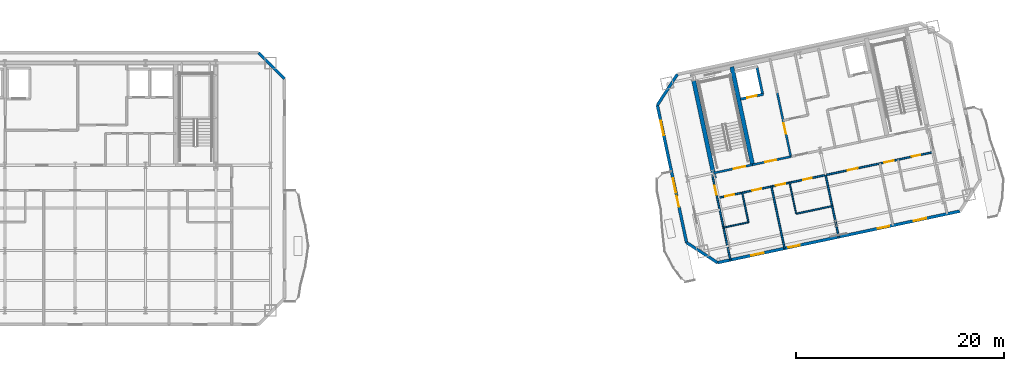
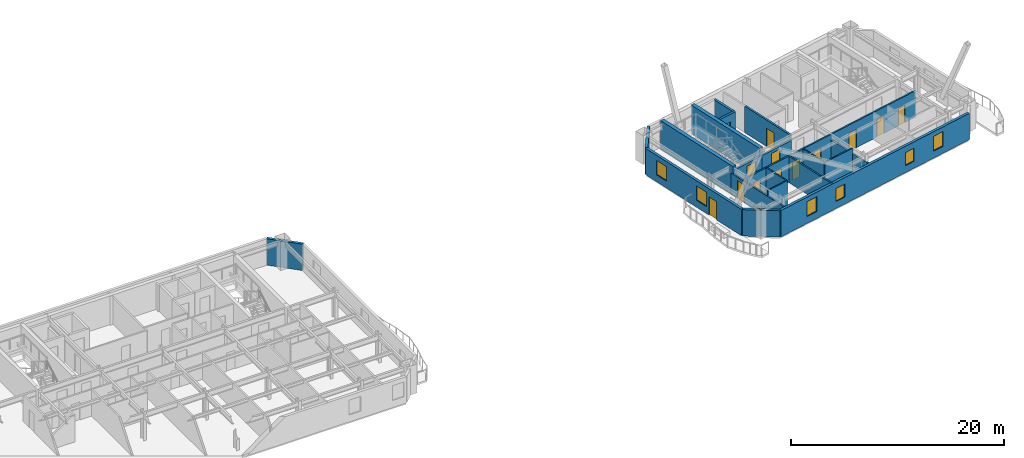
# One storey, part 7 of 13: 20 walls, 13 doors, 6 windows, 19 openings.
"""IFC4 building model written with IfcOpenShell, lengths in metres."""

from ifc_helpers import new_model, si_unit, direction, frame, frame_2d, origin, place, context, subcontext, project, spatial, rectangle, extrude, material, layer, layer_set, type_object, element, fill, save


model = new_model("IFC4")

# Units and contexts
model_context = context("Model", 3, precision=1e-05, world=origin(), true_north=direction((0.0, 1.0)))
body_context = subcontext(model_context, "Body", "Model", "MODEL_VIEW")
ifc_project = project(units=[si_unit("LENGTHUNIT", "METRE"), si_unit("AREAUNIT", "SQUARE_METRE"), si_unit("VOLUMEUNIT", "CUBIC_METRE"), si_unit("PLANEANGLEUNIT", "RADIAN"), si_unit("MASSUNIT", "GRAM", prefix="KILO")], contexts=[model_context])

# Site, building, storey
site_placement = place(None, origin())
site = spatial("IfcSite", under=ifc_project, at=site_placement, CompositionType="ELEMENT")
building_placement = place(site_placement, origin())
building = spatial("IfcBuilding", under=site, at=building_placement, Name="Haevon Station Towers", CompositionType="ELEMENT")
storey_placement = place(building_placement, frame((0.0, 0.0, 225.300048828125)))
storey = spatial("IfcBuildingStorey", under=building, at=storey_placement, Name="L62", CompositionType="ELEMENT", Elevation=225.300048828125)

# Wall, opening, door
ifc_material_1 = material(Name="Gypsum board on steel stud", Category="steel")
ifc_layer_1 = layer(ifc_material_1, 0.199951171875)
ifc_layer_set_1 = layer_set([ifc_layer_1], Name="Gypsum board on steel stud")
wall_type_1 = type_object("IfcWallType", Name="WL-COR200", PredefinedType="PARTITIONING", material=ifc_layer_set_1)
wall_1_placement = place(storey_placement, frame((98.75244140625, 37.4423828125, 0.0), z_axis=(0.0, 0.0, 1.0), x_axis=(0.978143537786, 0.207930804564, 0.0)))
wall_1 = element("IfcWall", 1, at=wall_1_placement, inside=storey, type_object=wall_type_1, Name="WL-ST-ST3-L62", PredefinedType="PARTITIONING", context=body_context, shape_type="SweptSolid", body=[
    extrude(rectangle(XDim=3.85009765625, YDim=0.199951171875, at=frame_2d((1.925048828125, 0.0))), origin(), (0.0, 0.0, 1.0), 2.429931640625),
])
opening_1_placement = place(wall_1_placement, frame((2.0, 0.0, 0.0)))
opening_1 = element("IfcOpeningElement", 2, at=opening_1_placement, cuts=wall_1, Name="Opening DR-ST-ST3-L62", PredefinedType="OPENING", context=body_context, shape_type="SweptSolid", body=[
    extrude(rectangle(XDim=1.1201171875, YDim=2.10009765625, at=frame_2d((0.56005859375, 1.050048828125))), frame((0.0, 0.10986328125, 0.0), z_axis=(0.0, -1.0, 0.0), x_axis=(1.0, 0.0, 0.0)), (0.0, 0.0, 1.0), 0.219970703125),
])
ifc_material_2 = material(Name="Engineered oak timber", Category="wood")
door_type_1 = type_object("IfcDoorType", Name="DR-ST-1120", OperationType="NOTDEFINED", PredefinedType="DOOR", material=ifc_material_2)
door_1_placement = place(opening_1_placement, origin())
door_1 = element("IfcDoor", 3, at=door_1_placement, inside=storey, type_object=door_type_1, Name="L62 Escape Stair ST3 Fire Door", OperationType="SINGLE_SWING_LEFT", OverallHeight=2.10009765625, OverallWidth=1.1201171875, PredefinedType="DOOR", context=body_context, shape_type="SweptSolid", body=[
    extrude(rectangle(XDim=1.1201171875, YDim=2.10009765625, at=frame_2d((0.56005859375, 1.050048828125))), frame((0.0, 0.02490234375, 0.0), z_axis=(0.0, -1.0, 0.0), x_axis=(1.0, 0.0, 0.0)), (0.0, 0.0, 1.0), 0.050048828125),
])
fill(opening_1, door_1)

wall_2_placement = place(storey_placement, frame((106.186279296875, 39.0224609375, 0.0), z_axis=(0.0, 0.0, 1.0), x_axis=(-0.207916691923, 0.978146537703, 0.0)))
wall_2 = element("IfcWall", 4, at=wall_2_placement, inside=storey, type_object=wall_type_1, Name="WL-T2FFL-L62-E", PredefinedType="PARTITIONING", context=body_context, shape_type="SweptSolid", body=[
    extrude(rectangle(XDim=6.35009765625, YDim=0.199951171875, at=frame_2d((3.175048828125, 0.0))), origin(), (0.0, 0.0, 1.0), 3.030029296875),
])
opening_2_placement = place(wall_2_placement, frame((2.239990234375, 0.0, 0.0)))
opening_2 = element("IfcOpeningElement", 5, at=opening_2_placement, cuts=wall_2, Name="Opening DR-T2FFL-L62-E", PredefinedType="OPENING", context=body_context, shape_type="SweptSolid", body=[
    extrude(rectangle(XDim=1.050048828125, YDim=2.10009765625, at=frame_2d((0.52490234375, 1.050048828125))), frame((0.0, 0.10986328125, 0.0), z_axis=(0.0, -1.0, 0.0), x_axis=(1.0, 0.0, 0.0)), (0.0, 0.0, 1.0), 0.219970703125),
])
door_type_2 = type_object("IfcDoorType", Name="DR-FD60-1050", OperationType="NOTDEFINED", PredefinedType="DOOR", material=ifc_material_2)
door_2_placement = place(opening_2_placement, origin())
door_2 = element("IfcDoor", 6, at=door_2_placement, inside=storey, type_object=door_type_2, Name="L62 Tower 2 Firefighting Lift Lobby Door E", OperationType="SINGLE_SWING_LEFT", OverallHeight=2.10009765625, OverallWidth=1.050048828125, PredefinedType="DOOR", context=body_context, shape_type="SweptSolid", body=[
    extrude(rectangle(XDim=1.050048828125, YDim=2.10009765625, at=frame_2d((0.52490234375, 1.050048828125))), frame((0.0, 0.02490234375, 0.0), z_axis=(0.0, -1.0, 0.0), x_axis=(1.0, 0.0, 0.0)), (0.0, 0.0, 1.0), 0.050048828125),
])
fill(opening_2, door_2)

wall_3_placement = place(storey_placement, frame((102.518310546875, 38.242919921875, 0.0), z_axis=(0.0, 0.0, 1.0), x_axis=(0.978153555683, 0.20788367301, 0.0)))
wall_3 = element("IfcWall", 7, at=wall_3_placement, inside=storey, type_object=wall_type_1, Name="WL-T2FFL-L62-S", PredefinedType="PARTITIONING", context=body_context, shape_type="SweptSolid", body=[
    extrude(rectangle(XDim=3.75, YDim=0.199951171875, at=frame_2d((1.875, 0.0))), origin(), (0.0, 0.0, 1.0), 2.429931640625),
])
opening_3_placement = place(wall_3_placement, frame((1.25, 0.0, 0.0)))
opening_3 = element("IfcOpeningElement", 8, at=opening_3_placement, cuts=wall_3, Name="Opening DR-T2FFL-L62-S", PredefinedType="OPENING", context=body_context, shape_type="SweptSolid", body=[
    extrude(rectangle(XDim=1.050048828125, YDim=2.10009765625, at=frame_2d((0.52490234375, 1.050048828125))), frame((0.0, 0.10986328125, 0.0), z_axis=(0.0, -1.0, 0.0), x_axis=(1.0, 0.0, 0.0)), (0.0, 0.0, 1.0), 0.219970703125),
])
door_3_placement = place(opening_3_placement, origin())
door_3 = element("IfcDoor", 9, at=door_3_placement, inside=storey, type_object=door_type_2, Name="L62 Tower 2 Firefighting Lift Lobby Door S", OperationType="SINGLE_SWING_RIGHT", OverallHeight=2.10009765625, OverallWidth=1.050048828125, PredefinedType="DOOR", context=body_context, shape_type="SweptSolid", body=[
    extrude(rectangle(XDim=1.050048828125, YDim=2.10009765625, at=frame_2d((0.52490234375, 1.050048828125))), frame((0.0, 0.02490234375, 0.0), z_axis=(0.0, -1.0, 0.0), x_axis=(1.0, 0.0, 0.0)), (0.0, 0.0, 1.0), 0.050048828125),
])
fill(opening_3, door_3)

# Walls
ifc_material_3 = material(Name="Concrete C60/75", Category="concrete")
ifc_layer_2 = layer(ifc_material_3, 0.39990234375)
ifc_layer_set_2 = layer_set([ifc_layer_2], Name="Concrete C60/75")
wall_type_2 = type_object("IfcWallType", Name="WL-CR400", PredefinedType="SHEAR", material=ifc_layer_set_2)
wall_4_placement = place(storey_placement, frame((98.8603515625, 36.933837890625, 0.0), z_axis=(0.0, 0.0, 1.0), x_axis=(-0.20790924889, 0.978148119778, 0.0)))
element("IfcWall", 10, at=wall_4_placement, inside=storey, type_object=wall_type_2, Name="WL-T2CR-L62-W", PredefinedType="SHEAR", context=body_context, shape_type="SweptSolid", body=[
    extrude(rectangle(XDim=10.119873046875, YDim=0.39990234375, at=frame_2d((5.06005859375, 0.0))), origin(), (0.0, 0.0, 1.0), 3.300048828125),
])
wall_5_placement = place(storey_placement, frame((102.518310546875, 38.242919921875, 0.0), z_axis=(0.0, 0.0, 1.0), x_axis=(-0.207927495108, 0.978144241295, 0.0)))
element("IfcWall", 11, at=wall_5_placement, inside=storey, type_object=wall_type_2, Name="WL-T2CR-L62-M1", PredefinedType="SHEAR", context=body_context, shape_type="SweptSolid", body=[
    extrude(rectangle(XDim=9.599853515625, YDim=0.39990234375, at=frame_2d((4.7998046875, 0.0))), origin(), (0.0, 0.0, 1.0), 3.300048828125),
])
ifc_material_4 = material(Name="Precast concrete C45/55", Category="concrete")
ifc_layer_3 = layer(ifc_material_4, 0.280029296875)
ifc_layer_set_3 = layer_set([ifc_layer_3], Name="Precast concrete C45/55")
wall_type_3 = type_object("IfcWallType", Name="WL-EXT-PIER280", PredefinedType="SOLIDWALL", material=ifc_layer_set_3)
wall_6_placement = place(storey_placement, frame((55.10009765625, 49.0, 0.0), z_axis=(0.0, 0.0, 1.0), x_axis=(0.707106781187, -0.707106781187, 0.0)))
element("IfcWall", 12, at=wall_6_placement, inside=storey, type_object=wall_type_3, Name="WL-T1-L62-NEC", PredefinedType="SOLIDWALL", context=body_context, shape_type="SweptSolid", body=[
    extrude(rectangle(XDim=3.53564453125, YDim=0.280029296875, at=frame_2d((1.767822265625, 0.0))), origin(), (0.0, 0.0, 1.0), 3.030029296875),
])

# Wall, openings, windows
wall_7_placement = place(storey_placement, frame((122.427978515625, 33.795166015625, 0.0), z_axis=(0.0, 0.0, 1.0), x_axis=(-0.978147847697, -0.207910528946, 0.0)))
wall_7 = element("IfcWall", 13, at=wall_7_placement, inside=storey, type_object=wall_type_3, Name="WL-T2-L62-S", PredefinedType="SOLIDWALL", context=body_context, shape_type="SweptSolid", body=[
    extrude(rectangle(XDim=23.7998046875, YDim=0.280029296875, at=frame_2d((11.89990234375, 0.0))), origin(), (0.0, 0.0, 1.0), 3.030029296875),
])
opening_4_placement = place(wall_7_placement, frame((19.251220703125, 0.0, 0.800048828125)))
opening_4 = element("IfcOpeningElement", 14, at=opening_4_placement, cuts=wall_7, Name="Opening WN-P125", PredefinedType="OPENING", context=body_context, shape_type="SweptSolid", body=[
    extrude(rectangle(XDim=1.25, YDim=1.699951171875, at=frame_2d((0.625, 0.85009765625))), frame((0.0, 0.14990234375, 0.0), z_axis=(0.0, -1.0, 0.0), x_axis=(1.0, 0.0, 0.0)), (0.0, 0.0, 1.0), 0.300048828125),
])
opening_5_placement = place(wall_7_placement, frame((15.737548828125, 0.0, 0.800048828125)))
opening_5 = element("IfcOpeningElement", 15, at=opening_5_placement, cuts=wall_7, Name="Opening WN-COR110", PredefinedType="OPENING", context=body_context, shape_type="SweptSolid", body=[
    extrude(rectangle(XDim=1.10009765625, YDim=1.5, at=frame_2d((0.550048828125, 0.75))), frame((0.0, 0.14990234375, 0.0), z_axis=(0.0, -1.0, 0.0), x_axis=(1.0, 0.0, 0.0)), (0.0, 0.0, 1.0), 0.300048828125),
])
opening_6_placement = place(wall_7_placement, frame((6.96240234375, 0.0, 0.800048828125)))
opening_6 = element("IfcOpeningElement", 16, at=opening_6_placement, cuts=wall_7, Name="Opening WN-COR110", PredefinedType="OPENING", context=body_context, shape_type="SweptSolid", body=[
    extrude(rectangle(XDim=1.10009765625, YDim=1.5, at=frame_2d((0.550048828125, 0.75))), frame((0.0, 0.14990234375, 0.0), z_axis=(0.0, -1.0, 0.0), x_axis=(1.0, 0.0, 0.0)), (0.0, 0.0, 1.0), 0.300048828125),
])
opening_7_placement = place(wall_7_placement, frame((3.298583984375, 0.0, 0.800048828125)))
opening_7 = element("IfcOpeningElement", 17, at=opening_7_placement, cuts=wall_7, Name="Opening WN-P125", PredefinedType="OPENING", context=body_context, shape_type="SweptSolid", body=[
    extrude(rectangle(XDim=1.25, YDim=1.699951171875, at=frame_2d((0.625, 0.85009765625))), frame((0.0, 0.14990234375, 0.0), z_axis=(0.0, -1.0, 0.0), x_axis=(1.0, 0.0, 0.0)), (0.0, 0.0, 1.0), 0.300048828125),
])
ifc_material_5 = material(Name="Low-E triple glazing in thermally broken aluminium", Category="aluminium")
window_type_1 = type_object("IfcWindowType", Name="WN-COR110", PartitioningType="SINGLE_PANEL", PredefinedType="WINDOW", material=ifc_material_5)
window_1_placement = place(opening_5_placement, origin())
window_1 = element("IfcWindow", 18, at=window_1_placement, inside=storey, type_object=window_type_1, Name="WN-T2-L62-S02", OverallHeight=1.5, OverallWidth=1.10009765625, PartitioningType="SINGLE_PANEL", PredefinedType="WINDOW", context=body_context, shape_type="SweptSolid", body=[
    extrude(rectangle(XDim=1.10009765625, YDim=1.5, at=frame_2d((0.550048828125, 0.75))), frame((0.0, 0.030029296875, 0.0), z_axis=(0.0, -1.0, 0.0), x_axis=(1.0, 0.0, 0.0)), (0.0, 0.0, 1.0), 0.06005859375),
])
fill(opening_5, window_1)
window_2_placement = place(opening_6_placement, origin())
window_2 = element("IfcWindow", 19, at=window_2_placement, inside=storey, type_object=window_type_1, Name="WN-T2-L62-S03", OverallHeight=1.5, OverallWidth=1.10009765625, PartitioningType="SINGLE_PANEL", PredefinedType="WINDOW", context=body_context, shape_type="SweptSolid", body=[
    extrude(rectangle(XDim=1.10009765625, YDim=1.5, at=frame_2d((0.550048828125, 0.75))), frame((0.0, 0.030029296875, 0.0), z_axis=(0.0, -1.0, 0.0), x_axis=(1.0, 0.0, 0.0)), (0.0, 0.0, 1.0), 0.06005859375),
])
fill(opening_6, window_2)
window_type_2 = type_object("IfcWindowType", Name="WN-P125", PartitioningType="SINGLE_PANEL", PredefinedType="WINDOW", material=ifc_material_5)
window_3_placement = place(opening_4_placement, origin())
window_3 = element("IfcWindow", 20, at=window_3_placement, inside=storey, type_object=window_type_2, Name="WN-T2-L62-S01", OverallHeight=1.699951171875, OverallWidth=1.25, PartitioningType="SINGLE_PANEL", PredefinedType="WINDOW", context=body_context, shape_type="SweptSolid", body=[
    extrude(rectangle(XDim=1.25, YDim=1.699951171875, at=frame_2d((0.625, 0.85009765625))), frame((0.0, 0.030029296875, 0.0), z_axis=(0.0, -1.0, 0.0), x_axis=(1.0, 0.0, 0.0)), (0.0, 0.0, 1.0), 0.06005859375),
])
fill(opening_4, window_3)
window_4_placement = place(opening_7_placement, origin())
window_4 = element("IfcWindow", 21, at=window_4_placement, inside=storey, type_object=window_type_2, Name="WN-T2-L62-S04", OverallHeight=1.699951171875, OverallWidth=1.25, PartitioningType="SINGLE_PANEL", PredefinedType="WINDOW", context=body_context, shape_type="SweptSolid", body=[
    extrude(rectangle(XDim=1.25, YDim=1.699951171875, at=frame_2d((0.625, 0.85009765625))), frame((0.0, 0.030029296875, 0.0), z_axis=(0.0, -1.0, 0.0), x_axis=(1.0, 0.0, 0.0)), (0.0, 0.0, 1.0), 0.06005859375),
])
fill(opening_7, window_4)

# Wall
wall_8_placement = place(storey_placement, frame((99.148193359375, 28.846923828125, 0.0), z_axis=(0.0, 0.0, 1.0), x_axis=(-0.838692791597, 0.544604812064, 0.0)))
element("IfcWall", 22, at=wall_8_placement, inside=storey, type_object=wall_type_3, Name="WL-T2-L62-SWC", PredefinedType="SOLIDWALL", context=body_context, shape_type="SweptSolid", body=[
    extrude(rectangle(XDim=3.53564453125, YDim=0.280029296875, at=frame_2d((1.767822265625, 0.0))), origin(), (0.0, 0.0, 1.0), 3.030029296875),
])

# Wall, openings, door, windows
wall_9_placement = place(storey_placement, frame((96.182861328125, 30.7724609375, 0.0), z_axis=(0.0, 0.0, 1.0), x_axis=(-0.207907239961, 0.978148546782, 0.0)))
wall_9 = element("IfcWall", 23, at=wall_9_placement, inside=storey, type_object=wall_type_3, Name="WL-T2-L62-W", PredefinedType="SOLIDWALL", context=body_context, shape_type="SweptSolid", body=[
    extrude(rectangle(XDim=13.489990234375, YDim=0.280029296875, at=frame_2d((6.7451171875, 0.0))), origin(), (0.0, 0.0, 1.0), 3.030029296875),
])
opening_8_placement = place(wall_9_placement, frame((3.52001953125, 0.0, 0.0)))
opening_8 = element("IfcOpeningElement", 24, at=opening_8_placement, cuts=wall_9, Name="Opening DR-T2-SCAL-L62-W", PredefinedType="OPENING", context=body_context, shape_type="SweptSolid", body=[
    extrude(rectangle(XDim=1.050048828125, YDim=2.10009765625, at=frame_2d((0.52490234375, 1.050048828125))), frame((0.0, 0.14990234375, 0.0), z_axis=(0.0, -1.0, 0.0), x_axis=(1.0, 0.0, 0.0)), (0.0, 0.0, 1.0), 0.300048828125),
])
opening_9_placement = place(wall_9_placement, frame((4.921142578125, 0.0, 0.800048828125)))
opening_9 = element("IfcOpeningElement", 25, at=opening_9_placement, cuts=wall_9, Name="Opening WN-END140", PredefinedType="OPENING", context=body_context, shape_type="SweptSolid", body=[
    extrude(rectangle(XDim=1.39990234375, YDim=1.64990234375, at=frame_2d((0.699951171875, 0.824951171875))), frame((0.0, 0.14990234375, 0.0), z_axis=(0.0, -1.0, 0.0), x_axis=(1.0, 0.0, 0.0)), (0.0, 0.0, 1.0), 0.300048828125),
])
opening_10_placement = place(wall_9_placement, frame((10.540771484375, 0.0, 0.800048828125)))
opening_10 = element("IfcOpeningElement", 26, at=opening_10_placement, cuts=wall_9, Name="Opening WN-END140", PredefinedType="OPENING", context=body_context, shape_type="SweptSolid", body=[
    extrude(rectangle(XDim=1.39990234375, YDim=1.64990234375, at=frame_2d((0.699951171875, 0.824951171875))), frame((0.0, 0.14990234375, 0.0), z_axis=(0.0, -1.0, 0.0), x_axis=(1.0, 0.0, 0.0)), (0.0, 0.0, 1.0), 0.300048828125),
])
ifc_material_6 = material(Name="Thermally broken anodised aluminium and laminated safety glass", Category="aluminium")
door_type_3 = type_object("IfcDoorType", Name="DR-BALC-1050", OperationType="NOTDEFINED", PredefinedType="DOOR", material=ifc_material_6)
door_4_placement = place(opening_8_placement, origin())
door_4 = element("IfcDoor", 27, at=door_4_placement, inside=storey, type_object=door_type_3, Name="Tower 2 L62 West Scalloped Balcony Door", OperationType="SINGLE_SWING_RIGHT", OverallHeight=2.10009765625, OverallWidth=1.050048828125, PredefinedType="DOOR", context=body_context, shape_type="SweptSolid", body=[
    extrude(rectangle(XDim=1.050048828125, YDim=2.10009765625, at=frame_2d((0.52490234375, 1.050048828125))), frame((0.0, 0.02490234375, 0.0), z_axis=(0.0, -1.0, 0.0), x_axis=(1.0, 0.0, 0.0)), (0.0, 0.0, 1.0), 0.050048828125),
])
fill(opening_8, door_4)
window_type_3 = type_object("IfcWindowType", Name="WN-END140", PartitioningType="SINGLE_PANEL", PredefinedType="WINDOW", material=ifc_material_5)
window_5_placement = place(opening_9_placement, origin())
window_5 = element("IfcWindow", 28, at=window_5_placement, inside=storey, type_object=window_type_3, Name="WN-T2-L62-W01", OverallHeight=1.64990234375, OverallWidth=1.39990234375, PartitioningType="SINGLE_PANEL", PredefinedType="WINDOW", context=body_context, shape_type="SweptSolid", body=[
    extrude(rectangle(XDim=1.39990234375, YDim=1.64990234375, at=frame_2d((0.699951171875, 0.824951171875))), frame((0.0, 0.030029296875, 0.0), z_axis=(0.0, -1.0, 0.0), x_axis=(1.0, 0.0, 0.0)), (0.0, 0.0, 1.0), 0.06005859375),
])
fill(opening_9, window_5)
window_6_placement = place(opening_10_placement, origin())
window_6 = element("IfcWindow", 29, at=window_6_placement, inside=storey, type_object=window_type_3, Name="WN-T2-L62-W02", OverallHeight=1.64990234375, OverallWidth=1.39990234375, PartitioningType="SINGLE_PANEL", PredefinedType="WINDOW", context=body_context, shape_type="SweptSolid", body=[
    extrude(rectangle(XDim=1.39990234375, YDim=1.64990234375, at=frame_2d((0.699951171875, 0.824951171875))), frame((0.0, 0.030029296875, 0.0), z_axis=(0.0, -1.0, 0.0), x_axis=(1.0, 0.0, 0.0)), (0.0, 0.0, 1.0), 0.06005859375),
])
fill(opening_10, window_6)

# Walls
wall_10_placement = place(storey_placement, frame((93.378173828125, 43.9677734375, 0.0), z_axis=(0.0, 0.0, 1.0), x_axis=(0.544636352948, 0.838672309694, 0.0)))
element("IfcWall", 30, at=wall_10_placement, inside=storey, type_object=wall_type_3, Name="WL-T2-L62-NWC", PredefinedType="SOLIDWALL", context=body_context, shape_type="SweptSolid", body=[
    extrude(rectangle(XDim=3.535400390625, YDim=0.280029296875, at=frame_2d((1.767578125, 0.0))), origin(), (0.0, 0.0, 1.0), 3.030029296875),
])
ifc_layer_4 = layer(ifc_material_1, 0.125)
ifc_layer_set_4 = layer_set([ifc_layer_4], Name="Gypsum board on steel stud")
wall_type_4 = type_object("IfcWallType", Name="WL-PRT125", PredefinedType="PARTITIONING", material=ifc_layer_set_4)
wall_11_placement = place(storey_placement, frame((99.726318359375, 32.210693359375, 0.0), z_axis=(0.0, 0.0, 1.0), x_axis=(0.978156824814, 0.207868290196, 0.0)))
element("IfcWall", 31, at=wall_11_placement, inside=storey, type_object=wall_type_4, Name="WL-T2PT-L62-03", PredefinedType="PARTITIONING", context=body_context, shape_type="SweptSolid", body=[
    extrude(rectangle(XDim=2.449951171875, YDim=0.125, at=frame_2d((1.22509765625, 0.0))), origin(), (0.0, 0.0, 1.0), 3.030029296875),
])
wall_12_placement = place(storey_placement, frame((106.699951171875, 33.53955078125, 0.0), z_axis=(0.0, 0.0, 1.0), x_axis=(-0.207877902534, 0.978154782045, 0.0)))
element("IfcWall", 32, at=wall_12_placement, inside=storey, type_object=wall_type_4, Name="WL-T2PT-L62-07", PredefinedType="PARTITIONING", context=body_context, shape_type="SweptSolid", body=[
    extrude(rectangle(XDim=3.050048828125, YDim=0.125, at=frame_2d((1.52490234375, 0.0))), origin(), (0.0, 0.0, 1.0), 3.030029296875),
])
ifc_layer_5 = layer(ifc_material_1, 0.139892578125)
ifc_layer_set_5 = layer_set([ifc_layer_5], Name="Gypsum board on steel stud")
wall_type_5 = type_object("IfcWallType", Name="WL-PRT140", PredefinedType="PARTITIONING", material=ifc_layer_set_5)
wall_13_placement = place(storey_placement, frame((102.122802734375, 32.719970703125, 0.0), z_axis=(0.0, 0.0, 1.0), x_axis=(-0.207855735235, 0.978159492787, 0.0)))
element("IfcWall", 33, at=wall_13_placement, inside=storey, type_object=wall_type_5, Name="WL-T2PT-L62-04", PredefinedType="PARTITIONING", context=body_context, shape_type="SweptSolid", body=[
    extrude(rectangle(XDim=2.89990234375, YDim=0.139892578125, at=frame_2d((1.449951171875, 0.0))), origin(), (0.0, 0.0, 1.0), 3.030029296875),
])
wall_14_placement = place(storey_placement, frame((106.699951171875, 33.53955078125, 0.0), z_axis=(0.0, 0.0, 1.0), x_axis=(0.978155518159, 0.207874438771, 0.0)))
element("IfcWall", 34, at=wall_14_placement, inside=storey, type_object=wall_type_5, Name="WL-T2PT-L62-06", PredefinedType="PARTITIONING", context=body_context, shape_type="SweptSolid", body=[
    extrude(rectangle(XDim=3.53759765625, YDim=0.139892578125, at=frame_2d((1.768798828125, 0.0))), origin(), (0.0, 0.0, 1.0), 3.030029296875),
])

# Wall, opening, door
ifc_layer_6 = layer(ifc_material_1, 0.159912109375)
ifc_layer_set_6 = layer_set([ifc_layer_6], Name="Gypsum board on steel stud")
wall_type_6 = type_object("IfcWallType", Name="WL-PRT160", PredefinedType="PARTITIONING", material=ifc_layer_set_6)
wall_15_placement = place(storey_placement, frame((100.385498046875, 29.10986328125, 0.0), z_axis=(0.0, 0.0, 1.0), x_axis=(-0.207922572799, 0.978145287634, 0.0)))
wall_15 = element("IfcWall", 35, at=wall_15_placement, inside=storey, type_object=wall_type_6, Name="WL-T2PT-L62-01", PredefinedType="PARTITIONING", context=body_context, shape_type="SweptSolid", body=[
    extrude(rectangle(XDim=8.18994140625, YDim=0.159912109375, at=frame_2d((4.094970703125, 0.0))), origin(), (0.0, 0.0, 1.0), 2.429931640625),
])
opening_11_placement = place(wall_15_placement, frame((6.389892578125, 0.0, 0.0)))
opening_11 = element("IfcOpeningElement", 36, at=opening_11_placement, cuts=wall_15, Name="Opening DR-WL-T2PT-L62-01-01", PredefinedType="OPENING", context=body_context, shape_type="SweptSolid", body=[
    extrude(rectangle(XDim=0.89990234375, YDim=2.050048828125, at=frame_2d((0.449951171875, 1.02490234375))), frame((0.0, 0.08984375, 0.0), z_axis=(0.0, -1.0, 0.0), x_axis=(1.0, 0.0, 0.0)), (0.0, 0.0, 1.0), 0.179931640625),
])
door_type_4 = type_object("IfcDoorType", Name="DR-INT-900", OperationType="NOTDEFINED", PredefinedType="DOOR", material=ifc_material_2)
door_5_placement = place(opening_11_placement, origin())
door_5 = element("IfcDoor", 37, at=door_5_placement, inside=storey, type_object=door_type_4, Name="L62 Tower 2 Room Door 1-1", OperationType="SINGLE_SWING_RIGHT", OverallHeight=2.050048828125, OverallWidth=0.89990234375, PredefinedType="DOOR", context=body_context, shape_type="SweptSolid", body=[
    extrude(rectangle(XDim=0.89990234375, YDim=2.050048828125, at=frame_2d((0.449951171875, 1.02490234375))), frame((0.0, 0.02490234375, 0.0), z_axis=(0.0, -1.0, 0.0), x_axis=(1.0, 0.0, 0.0)), (0.0, 0.0, 1.0), 0.050048828125),
])
fill(opening_11, door_5)

# Walls
wall_16_placement = place(storey_placement, frame((105.586669921875, 30.21533203125, 0.0), z_axis=(0.0, 0.0, 1.0), x_axis=(-0.207897237954, 0.978150672673, 0.0)))
element("IfcWall", 38, at=wall_16_placement, inside=storey, type_object=wall_type_6, Name="WL-T2PT-L62-05", PredefinedType="PARTITIONING", context=body_context, shape_type="SweptSolid", body=[
    extrude(rectangle(XDim=6.070068359375, YDim=0.159912109375, at=frame_2d((3.03515625, 0.0))), origin(), (0.0, 0.0, 1.0), 3.030029296875),
])
wall_17_placement = place(storey_placement, frame((110.7880859375, 31.321044921875, 0.0), z_axis=(0.0, 0.0, 1.0), x_axis=(-0.207905417202, 0.978148934211, 0.0)))
element("IfcWall", 39, at=wall_17_placement, inside=storey, type_object=wall_type_6, Name="WL-T2PT-L62-08", PredefinedType="PARTITIONING", context=body_context, shape_type="SweptSolid", body=[
    extrude(rectangle(XDim=6.06982421875, YDim=0.159912109375, at=frame_2d((3.034912109375, 0.0))), origin(), (0.0, 0.0, 1.0), 2.429931640625),
])

# Wall, openings, doors
wall_18_placement = place(storey_placement, frame((99.12353515625, 35.047119140625, 0.0), z_axis=(0.0, 0.0, 1.0), x_axis=(0.97814677222, 0.207915588631, 0.0)))
wall_18 = element("IfcWall", 40, at=wall_18_placement, inside=storey, type_object=wall_type_6, Name="WL-T2PT-L62-12", PredefinedType="PARTITIONING", context=body_context, shape_type="SweptSolid", body=[
    extrude(rectangle(XDim=21.27001953125, YDim=0.159912109375, at=frame_2d((10.635009765625, 0.0))), origin(), (0.0, 0.0, 1.0), 3.030029296875),
])
opening_12_placement = place(wall_18_placement, frame((0.800048828125, 0.0, 0.0)))
opening_12 = element("IfcOpeningElement", 41, at=opening_12_placement, cuts=wall_18, Name="Opening DR-WL-T2PT-L62-12-01", PredefinedType="OPENING", context=body_context, shape_type="SweptSolid", body=[
    extrude(rectangle(XDim=0.85009765625, YDim=2.050048828125, at=frame_2d((0.425048828125, 1.02490234375))), frame((0.0, 0.08984375, 0.0), z_axis=(0.0, -1.0, 0.0), x_axis=(1.0, 0.0, 0.0)), (0.0, 0.0, 1.0), 0.179931640625),
])
opening_13_placement = place(wall_18_placement, frame((3.43408203125, 0.0, 0.0)))
opening_13 = element("IfcOpeningElement", 42, at=opening_13_placement, cuts=wall_18, Name="Opening DR-WL-T2PT-L62-12-02", PredefinedType="OPENING", context=body_context, shape_type="SweptSolid", body=[
    extrude(rectangle(XDim=0.89990234375, YDim=2.050048828125, at=frame_2d((0.449951171875, 1.02490234375))), frame((0.0, 0.08984375, 0.0), z_axis=(0.0, -1.0, 0.0), x_axis=(1.0, 0.0, 0.0)), (0.0, 0.0, 1.0), 0.179931640625),
])
opening_14_placement = place(wall_18_placement, frame((8.44091796875, 0.0, 0.0)))
opening_14 = element("IfcOpeningElement", 43, at=opening_14_placement, cuts=wall_18, Name="Opening DR-WL-T2PT-L62-12-03", PredefinedType="OPENING", context=body_context, shape_type="SweptSolid", body=[
    extrude(rectangle(XDim=0.85009765625, YDim=2.050048828125, at=frame_2d((0.425048828125, 1.02490234375))), frame((0.0, 0.08984375, 0.0), z_axis=(0.0, -1.0, 0.0), x_axis=(1.0, 0.0, 0.0)), (0.0, 0.0, 1.0), 0.179931640625),
])
opening_15_placement = place(wall_18_placement, frame((5.757080078125, 0.0, 0.0)))
opening_15 = element("IfcOpeningElement", 44, at=opening_15_placement, cuts=wall_18, Name="Opening DR-WL-T2PT-L62-12-04", PredefinedType="OPENING", context=body_context, shape_type="SweptSolid", body=[
    extrude(rectangle(XDim=0.89990234375, YDim=2.050048828125, at=frame_2d((0.449951171875, 1.02490234375))), frame((0.0, 0.08984375, 0.0), z_axis=(0.0, -1.0, 0.0), x_axis=(1.0, 0.0, 0.0)), (0.0, 0.0, 1.0), 0.179931640625),
])
opening_16_placement = place(wall_18_placement, frame((12.819091796875, 0.0, 0.0)))
opening_16 = element("IfcOpeningElement", 45, at=opening_16_placement, cuts=wall_18, Name="Opening DR-WL-T2PT-L62-12-05", PredefinedType="OPENING", context=body_context, shape_type="SweptSolid", body=[
    extrude(rectangle(XDim=0.949951171875, YDim=2.10009765625, at=frame_2d((0.47509765625, 1.050048828125))), frame((0.0, 0.08984375, 0.0), z_axis=(0.0, -1.0, 0.0), x_axis=(1.0, 0.0, 0.0)), (0.0, 0.0, 1.0), 0.179931640625),
])
opening_17_placement = place(wall_18_placement, frame((19.075927734375, 0.0, 0.0)))
opening_17 = element("IfcOpeningElement", 46, at=opening_17_placement, cuts=wall_18, Name="Opening DR-WL-T2PT-L62-12-06", PredefinedType="OPENING", context=body_context, shape_type="SweptSolid", body=[
    extrude(rectangle(XDim=0.85009765625, YDim=2.050048828125, at=frame_2d((0.425048828125, 1.02490234375))), frame((0.0, 0.08984375, 0.0), z_axis=(0.0, -1.0, 0.0), x_axis=(1.0, 0.0, 0.0)), (0.0, 0.0, 1.0), 0.179931640625),
])
opening_18_placement = place(wall_18_placement, frame((16.39208984375, 0.0, 0.0)))
opening_18 = element("IfcOpeningElement", 47, at=opening_18_placement, cuts=wall_18, Name="Opening DR-WL-T2PT-L62-12-07", PredefinedType="OPENING", context=body_context, shape_type="SweptSolid", body=[
    extrude(rectangle(XDim=0.89990234375, YDim=2.050048828125, at=frame_2d((0.449951171875, 1.02490234375))), frame((0.0, 0.08984375, 0.0), z_axis=(0.0, -1.0, 0.0), x_axis=(1.0, 0.0, 0.0)), (0.0, 0.0, 1.0), 0.179931640625),
])
door_type_5 = type_object("IfcDoorType", Name="DR-FD30-850", OperationType="NOTDEFINED", PredefinedType="DOOR", material=ifc_material_2)
door_6_placement = place(opening_12_placement, origin())
door_6 = element("IfcDoor", 48, at=door_6_placement, inside=storey, type_object=door_type_5, Name="L62 Tower 2 Room Door 12-1", OperationType="SINGLE_SWING_RIGHT", OverallHeight=2.050048828125, OverallWidth=0.85009765625, PredefinedType="DOOR", context=body_context, shape_type="SweptSolid", body=[
    extrude(rectangle(XDim=0.85009765625, YDim=2.050048828125, at=frame_2d((0.425048828125, 1.02490234375))), frame((0.0, 0.02490234375, 0.0), z_axis=(0.0, -1.0, 0.0), x_axis=(1.0, 0.0, 0.0)), (0.0, 0.0, 1.0), 0.050048828125),
])
fill(opening_12, door_6)
door_7_placement = place(opening_14_placement, origin())
door_7 = element("IfcDoor", 49, at=door_7_placement, inside=storey, type_object=door_type_5, Name="L62 Tower 2 Room Door 12-3", OperationType="SINGLE_SWING_RIGHT", OverallHeight=2.050048828125, OverallWidth=0.85009765625, PredefinedType="DOOR", context=body_context, shape_type="SweptSolid", body=[
    extrude(rectangle(XDim=0.85009765625, YDim=2.050048828125, at=frame_2d((0.425048828125, 1.02490234375))), frame((0.0, 0.02490234375, 0.0), z_axis=(0.0, -1.0, 0.0), x_axis=(1.0, 0.0, 0.0)), (0.0, 0.0, 1.0), 0.050048828125),
])
fill(opening_14, door_7)
door_8_placement = place(opening_17_placement, origin())
door_8 = element("IfcDoor", 50, at=door_8_placement, inside=storey, type_object=door_type_5, Name="L62 Tower 2 Room Door 12-6", OperationType="SINGLE_SWING_LEFT", OverallHeight=2.050048828125, OverallWidth=0.85009765625, PredefinedType="DOOR", context=body_context, shape_type="SweptSolid", body=[
    extrude(rectangle(XDim=0.85009765625, YDim=2.050048828125, at=frame_2d((0.425048828125, 1.02490234375))), frame((0.0, 0.02490234375, 0.0), z_axis=(0.0, -1.0, 0.0), x_axis=(1.0, 0.0, 0.0)), (0.0, 0.0, 1.0), 0.050048828125),
])
fill(opening_17, door_8)
door_type_6 = type_object("IfcDoorType", Name="DR-FD30-950", OperationType="NOTDEFINED", PredefinedType="DOOR", material=ifc_material_2)
door_9_placement = place(opening_16_placement, origin())
door_9 = element("IfcDoor", 51, at=door_9_placement, inside=storey, type_object=door_type_6, Name="L62 Tower 2 Room Door 12-5", OperationType="SINGLE_SWING_RIGHT", OverallHeight=2.10009765625, OverallWidth=0.949951171875, PredefinedType="DOOR", context=body_context, shape_type="SweptSolid", body=[
    extrude(rectangle(XDim=0.949951171875, YDim=2.10009765625, at=frame_2d((0.47509765625, 1.050048828125))), frame((0.0, 0.02490234375, 0.0), z_axis=(0.0, -1.0, 0.0), x_axis=(1.0, 0.0, 0.0)), (0.0, 0.0, 1.0), 0.050048828125),
])
fill(opening_16, door_9)
door_10_placement = place(opening_13_placement, origin())
door_10 = element("IfcDoor", 52, at=door_10_placement, inside=storey, type_object=door_type_4, Name="L62 Tower 2 Room Door 12-2", OperationType="SINGLE_SWING_LEFT", OverallHeight=2.050048828125, OverallWidth=0.89990234375, PredefinedType="DOOR", context=body_context, shape_type="SweptSolid", body=[
    extrude(rectangle(XDim=0.89990234375, YDim=2.050048828125, at=frame_2d((0.449951171875, 1.02490234375))), frame((0.0, 0.02490234375, 0.0), z_axis=(0.0, -1.0, 0.0), x_axis=(1.0, 0.0, 0.0)), (0.0, 0.0, 1.0), 0.050048828125),
])
fill(opening_13, door_10)
door_11_placement = place(opening_15_placement, origin())
door_11 = element("IfcDoor", 53, at=door_11_placement, inside=storey, type_object=door_type_4, Name="L62 Tower 2 Room Door 12-4", OperationType="SINGLE_SWING_LEFT", OverallHeight=2.050048828125, OverallWidth=0.89990234375, PredefinedType="DOOR", context=body_context, shape_type="SweptSolid", body=[
    extrude(rectangle(XDim=0.89990234375, YDim=2.050048828125, at=frame_2d((0.449951171875, 1.02490234375))), frame((0.0, 0.02490234375, 0.0), z_axis=(0.0, -1.0, 0.0), x_axis=(1.0, 0.0, 0.0)), (0.0, 0.0, 1.0), 0.050048828125),
])
fill(opening_15, door_11)
door_12_placement = place(opening_18_placement, origin())
door_12 = element("IfcDoor", 54, at=door_12_placement, inside=storey, type_object=door_type_4, Name="L62 Tower 2 Room Door 12-7", OperationType="SINGLE_SWING_RIGHT", OverallHeight=2.050048828125, OverallWidth=0.89990234375, PredefinedType="DOOR", context=body_context, shape_type="SweptSolid", body=[
    extrude(rectangle(XDim=0.89990234375, YDim=2.050048828125, at=frame_2d((0.449951171875, 1.02490234375))), frame((0.0, 0.02490234375, 0.0), z_axis=(0.0, -1.0, 0.0), x_axis=(1.0, 0.0, 0.0)), (0.0, 0.0, 1.0), 0.050048828125),
])
fill(opening_18, door_12)

# Wall, opening, door
ifc_material_7 = material(Name="Concrete C40/50", Category="concrete")
ifc_layer_7 = layer(ifc_material_7, 0.239990234375)
ifc_layer_set_7 = layer_set([ifc_layer_7], Name="Concrete C40/50")
wall_type_7 = type_object("IfcWallType", Name="WL-SHF240", PredefinedType="PARTITIONING", material=ifc_layer_set_7)
wall_19_placement = place(storey_placement, frame((101.353759765625, 44.538330078125, 0.0), z_axis=(0.0, 0.0, 1.0), x_axis=(0.978141002414, 0.207942731049, 0.0)))
wall_19 = element("IfcWall", 55, at=wall_19_placement, inside=storey, type_object=wall_type_7, Name="WL-SHF-FL2-L62", PredefinedType="PARTITIONING", context=body_context, shape_type="SweptSolid", body=[
    extrude(rectangle(XDim=2.260009765625, YDim=0.239990234375, at=frame_2d((1.1298828125, 0.0))), origin(), (0.0, 0.0, 1.0), 3.030029296875),
])
opening_19_placement = place(wall_19_placement, frame((0.655029296875, 0.0, 0.0)))
opening_19 = element("IfcOpeningElement", 56, at=opening_19_placement, cuts=wall_19, Name="Opening LD-FL2-L62", PredefinedType="OPENING", context=body_context, shape_type="SweptSolid", body=[
    extrude(rectangle(XDim=0.949951171875, YDim=2.14990234375, at=frame_2d((0.47509765625, 1.074951171875))), frame((0.0, 0.1298828125, 0.0), z_axis=(0.0, -1.0, 0.0), x_axis=(1.0, 0.0, 0.0)), (0.0, 0.0, 1.0), 0.260009765625),
])
ifc_material_8 = material(Name="Stainless steel and rated core", Category="steel")
door_type_7 = type_object("IfcDoorType", Name="LD-FL950", OperationType="SLIDING_TO_LEFT", PredefinedType="DOOR", material=ifc_material_8)
door_13_placement = place(opening_19_placement, origin())
door_13 = element("IfcDoor", 57, at=door_13_placement, inside=storey, type_object=door_type_7, Name="L62 Lift FL2 Sliding Landing Door", OperationType="SLIDING_TO_LEFT", OverallHeight=2.14990234375, OverallWidth=0.949951171875, PredefinedType="DOOR", context=body_context, shape_type="SweptSolid", body=[
    extrude(rectangle(XDim=0.949951171875, YDim=2.14990234375, at=frame_2d((0.47509765625, 1.074951171875))), frame((0.0, 0.02490234375, 0.0), z_axis=(0.0, -1.0, 0.0), x_axis=(1.0, 0.0, 0.0)), (0.0, 0.0, 1.0), 0.050048828125),
])
fill(opening_19, door_13)

# Wall
wall_20_placement = place(storey_placement, frame((103.486328125, 44.99169921875, 0.0), z_axis=(0.0, 0.0, 1.0), x_axis=(-0.207978798957, 0.978133334052, 0.0)))
element("IfcWall", 58, at=wall_20_placement, inside=storey, type_object=wall_type_7, Name="WL-SHF-FL2-L62-E", PredefinedType="PARTITIONING", context=body_context, shape_type="SweptSolid", body=[
    extrude(rectangle(XDim=2.699951171875, YDim=0.239990234375, at=frame_2d((1.35009765625, 0.0))), origin(), (0.0, 0.0, 1.0), 3.030029296875),
])

save(model, "model.ifc")
